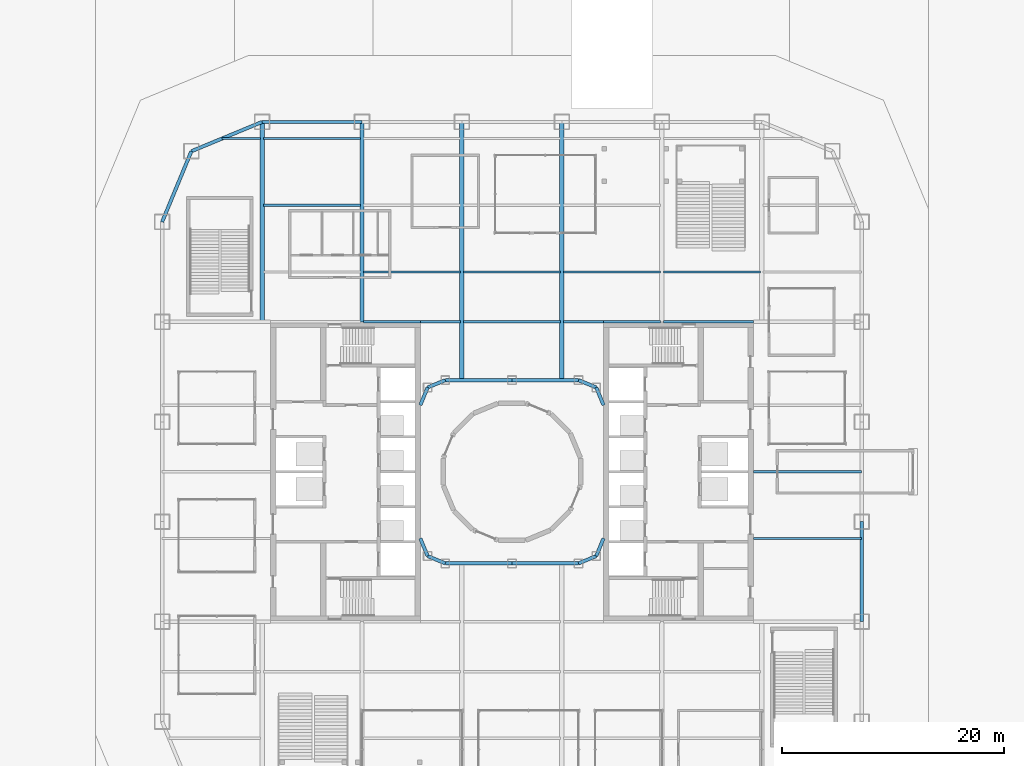
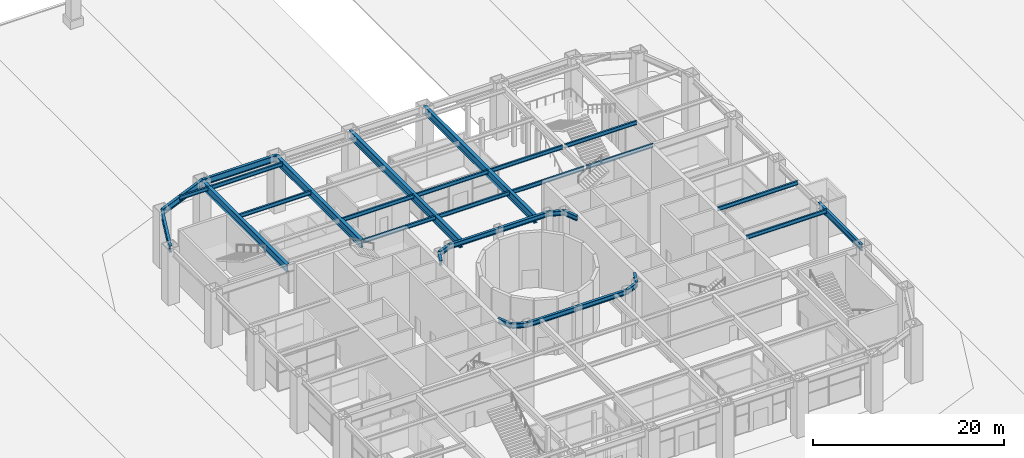
# One storey, part 7 of 20: 35 beams.
"""IFC4 building model written with IfcOpenShell, lengths in metres."""

import ifcopenshell
import ifcopenshell.guid

model = None  # the IFC model being written
_history = None  # IfcOwnerHistory: only IFC2X3 demands one
_inside = {}  # id of a spatial element -> (the spatial element, [elements in it])
_under = {}  # id of a project, library or spatial element -> (it, [spatial elements below it])
_declared = {}  # id of a project -> (the project, [libraries it declares])
_typed = {}  # id of a type object -> (the type object, [elements of that type])
_made_of = {}  # id of a material, layer set ... -> (it, [elements and type objects made of it])


def new_model(schema):
    """Start an empty IFC model of exactly this schema.

    Asked for "IFC4X3", IfcOpenShell would pick the latest addendum, in which some entities
    have other attributes; the version numbers below select the first issue.
    IFC2X3 requires an IfcOwnerHistory on every rooted entity: one is made here for all.
    """
    global model, _history
    if schema == "IFC4X3":
        model = ifcopenshell.file(schema_version=(4, 3, 0, 0))
    else:
        model = ifcopenshell.file(schema=schema)
    _inside.clear()
    _under.clear()
    _declared.clear()
    _typed.clear()
    _made_of.clear()
    _history = None
    if model.schema == "IFC2X3":
        org = make("IfcOrganization", Name="unknown")
        user = make(
            "IfcPersonAndOrganization",
            ThePerson=make("IfcPerson", FamilyName="unknown"),
            TheOrganization=org,
        )
        app = make(
            "IfcApplication",
            ApplicationDeveloper=org,
            Version="unknown",
            ApplicationFullName="unknown",
            ApplicationIdentifier="unknown",
        )
        _history = make(
            "IfcOwnerHistory",
            OwningUser=user,
            OwningApplication=app,
            ChangeAction="ADDED",
            CreationDate=0,
        )
    return model


def make(cls, **values):
    """One entity of the class cls with the attributes given. An attribute that is None is left unset."""
    return model.create_entity(
        cls, **{name: value for name, value in values.items() if value is not None}
    )


def rooted(cls, **values):
    """An entity with a GlobalId (a new one), such as an element, a storey or a relation."""
    return make(cls, GlobalId=ifcopenshell.guid.new(), OwnerHistory=_history, **values)


def si_unit(unit_type, name, prefix=None):
    """IfcSIUnit, for example si_unit("LENGTHUNIT", "METRE", prefix="MILLI")."""
    return make("IfcSIUnit", UnitType=unit_type, Prefix=prefix, Name=name)


def assignment(units):
    """IfcUnitAssignment: the units of a project."""
    return None if units is None else make("IfcUnitAssignment", Units=units)


def point(xyz):
    """IfcCartesianPoint."""
    return None if xyz is None else make("IfcCartesianPoint", Coordinates=xyz)


def direction(xyz):
    """IfcDirection."""
    return None if xyz is None else make("IfcDirection", DirectionRatios=xyz)


def frame(location, z_axis=None, x_axis=None):
    """IfcAxis2Placement3D, a coordinate frame: its origin and axes. An axis left out is left unset."""
    return make(
        "IfcAxis2Placement3D",
        Location=point(location),
        Axis=direction(z_axis),
        RefDirection=direction(x_axis),
    )


def frame_2d(location, x_axis=None):
    """IfcAxis2Placement2D, a coordinate frame in the plane: its origin and x axis."""
    return make(
        "IfcAxis2Placement2D", Location=point(location), RefDirection=direction(x_axis)
    )


def origin():
    """The frame at (0, 0, 0) with its axes left unset."""
    return frame((0.0, 0.0, 0.0))


def origin_2d():
    """The frame at (0, 0) in the plane with its x axis left unset."""
    return frame_2d((0.0, 0.0))


def place(relative_to, where):
    """IfcLocalPlacement: puts the frame where relative to a parent placement (None: the world)."""
    return make(
        "IfcLocalPlacement", PlacementRelTo=relative_to, RelativePlacement=where
    )


def context(
    kind, dimensions, precision=None, world=None, true_north=None, identifier=None
):
    """IfcGeometricRepresentationContext, for example the 3D "Model" context."""
    return make(
        "IfcGeometricRepresentationContext",
        ContextIdentifier=identifier,
        ContextType=kind,
        CoordinateSpaceDimension=dimensions,
        Precision=precision,
        WorldCoordinateSystem=world,
        TrueNorth=true_north,
    )


def subcontext(parent, identifier, kind, view, scale=None):
    """IfcGeometricRepresentationSubContext, for example "Body" below "Model"."""
    return make(
        "IfcGeometricRepresentationSubContext",
        ContextIdentifier=identifier,
        ContextType=kind,
        ParentContext=parent,
        TargetScale=scale,
        TargetView=view,
    )


def project(units=None, contexts=None):
    """IfcProject with its units and contexts."""
    return rooted(
        "IfcProject",
        Name="project",
        RepresentationContexts=contexts,
        UnitsInContext=assignment(units),
    )


def spatial(cls, under=None, at=None, **own):
    """A site, building, storey or space (cls), placed at a placement, below another one or the project."""
    s = rooted(cls, ObjectPlacement=at, **own)
    if under is not None:
        _under.setdefault(under.id(), (under, []))[1].append(s)
    return s


def profile(cls, at=None, kind="AREA", **sizes):
    """A parametric profile (cls). Its sizes go by their IFC names, for example OverallWidth=200.0."""
    return make(cls, ProfileType=kind, Position=at, **sizes)


def i_section(**sizes):
    """IfcIShapeProfileDef."""
    return profile("IfcIShapeProfileDef", **sizes)


def extrude(swept, where, along, depth):
    """IfcExtrudedAreaSolid: the profile swept, set in the frame where, extruded along a direction by depth."""
    return make(
        "IfcExtrudedAreaSolid",
        SweptArea=swept,
        Position=where,
        ExtrudedDirection=direction(along),
        Depth=depth,
    )


def shape(context_of_items, identifier, shape_type, items):
    """IfcShapeRepresentation: the items that make up one representation, for example the "Body"."""
    return make(
        "IfcShapeRepresentation",
        ContextOfItems=context_of_items,
        RepresentationIdentifier=identifier,
        RepresentationType=shape_type,
        Items=items,
    )


def material(Name=None, Category=None):
    """IfcMaterial."""
    return make("IfcMaterial", Name=Name, Category=Category)


def material_profile(
    of_material, cross_section, Name=None, Category=None, Priority=None
):
    """IfcMaterialProfile: a cross section and its material."""
    return make(
        "IfcMaterialProfile",
        Name=Name,
        Material=of_material,
        Profile=cross_section,
        Priority=Priority,
        Category=Category,
    )


def profile_set(profiles, Name=None, composite=None):
    """IfcMaterialProfileSet."""
    return make(
        "IfcMaterialProfileSet",
        Name=Name,
        MaterialProfiles=profiles,
        CompositeProfile=composite,
    )


def made_of(thing, what):
    """Note that an element or type object is made of a material, layer set ...; save() writes the relation."""
    if what is not None:
        _made_of.setdefault(what.id(), (what, []))[1].append(thing)
    return thing


def type_object(cls, material=None, **own):
    """A type object (cls), such as IfcWallType, which elements share."""
    return made_of(rooted(cls, **own), material)


def element(
    cls,
    number,
    at=None,
    inside=None,
    cuts=None,
    type_object=None,
    material=None,
    context=None,
    identifier="Body",
    shape_type=None,
    held_by="IfcProductDefinitionShape",
    body=None,
    shapes=None,
    **own,
):
    """One element of the class cls, such as IfcWall. Its Tag is "e" and its number.

    at: its placement. inside: the storey or other place that contains it. cuts: it is an
    opening in that element (IfcRelVoidsElement). A single representation is given by context,
    identifier, shape_type and body (its items); several are given by shapes. held_by: the class
    of the entity that holds the representations. save() writes the other relations.
    """
    e = rooted(cls, Tag="e%d" % number, ObjectPlacement=at, **own)
    if body is not None:
        shapes = [shape(context, identifier, shape_type, body)]
    if shapes is not None:
        e.Representation = make(held_by, Representations=shapes)
    if inside is not None:
        _inside.setdefault(inside.id(), (inside, []))[1].append(e)
    if cuts is not None:
        rooted(
            "IfcRelVoidsElement", RelatingBuildingElement=cuts, RelatedOpeningElement=e
        )
    if type_object is not None:
        _typed.setdefault(type_object.id(), (type_object, []))[1].append(e)
    return made_of(e, material)


def aggregate(whole, parts):
    """IfcRelAggregates: a whole, such as a stair, and the parts it consists of."""
    return rooted("IfcRelAggregates", RelatingObject=whole, RelatedObjects=parts)


def save(model, path):
    """Write the relations noted so far, then the file.

    IfcRelAggregates (storeys below a building ...), IfcRelContainedInSpatialStructure (elements
    in a storey), IfcRelDefinesByType, IfcRelAssociatesMaterial and IfcRelDeclares: one each for
    every whole, place, type object, material and project.
    """
    for whole, parts in _under.values():
        aggregate(whole, parts)
    for where, things in _inside.values():
        rooted(
            "IfcRelContainedInSpatialStructure",
            RelatedElements=things,
            RelatingStructure=where,
        )
    for kind, things in _typed.values():
        rooted("IfcRelDefinesByType", RelatedObjects=things, RelatingType=kind)
    for what, things in _made_of.values():
        rooted("IfcRelAssociatesMaterial", RelatedObjects=things, RelatingMaterial=what)
    for by, libraries in _declared.values():
        rooted("IfcRelDeclares", RelatingContext=by, RelatedDefinitions=libraries)
    model.write(path)


model = new_model("IFC4")

# Units and contexts
model_context = context("Model", 3, precision=1e-05, world=origin(), true_north=direction((0.0, 1.0)))
body_context = subcontext(model_context, "Body", "Model", "MODEL_VIEW")
ifc_project = project(units=[si_unit("LENGTHUNIT", "METRE"), si_unit("AREAUNIT", "SQUARE_METRE"), si_unit("VOLUMEUNIT", "CUBIC_METRE"), si_unit("PLANEANGLEUNIT", "RADIAN"), si_unit("MASSUNIT", "GRAM", prefix="KILO")], contexts=[model_context])

# Site, building, storey
site_placement = place(None, origin())
site = spatial("IfcSite", under=ifc_project, at=site_placement, CompositionType="ELEMENT")
building_placement = place(site_placement, origin())
building = spatial("IfcBuilding", under=site, at=building_placement, Name="Siwar Civic Tower", CompositionType="ELEMENT")
storey_placement = place(building_placement, origin())
storey = spatial("IfcBuildingStorey", under=building, at=storey_placement, Name="L00", CompositionType="ELEMENT", Elevation=0.0)

# Beams
ifc_material_1 = material(Name="Steel S355", Category="steel")
ifc_material_profile_1 = material_profile(ifc_material_1, i_section(OverallWidth=0.199951171875, OverallDepth=0.5, WebThickness=0.01025390625, FlangeThickness=0.01611328125, FilletRadius=0.02099609375, at=origin_2d()), Name="IPE500")
ifc_profile_set_1 = profile_set([ifc_material_profile_1], Name="Steel S355")
beam_type_1 = type_object("IfcBeamType", Name="STR-FB-IPE500", PredefinedType="JOIST", material=ifc_profile_set_1)
for number, where, z_axis, x_axis, name in (
    (1, (21.75, -6.0, 6.75), (1.0, 0.0, 0.0), (0.0, 1.0, 0.0), "L00/bm/F029"),
    (2, (21.75, 0.0, 6.75), (1.0, 0.0, 0.0), (0.0, 1.0, 0.0), "L00/bm/F031"),
):
    element("IfcBeam", number, at=place(storey_placement, frame(where, z_axis=z_axis, x_axis=x_axis)), inside=storey, type_object=beam_type_1, Name=name, PredefinedType="JOIST", context=body_context, shape_type="SweptSolid", body=[
        extrude(i_section(OverallWidth=0.199951171875, OverallDepth=0.5, WebThickness=0.01025390625, FlangeThickness=0.01611328125, FilletRadius=0.02099609375, at=origin_2d()), origin(), (0.0, 0.0, 1.0), 9.75),
    ])
beam_1_placement = place(storey_placement, frame((-13.3701171875, 13.5, 6.75), z_axis=(1.0, 0.0, 0.0), x_axis=(0.0, 1.0, 0.0)))
element("IfcBeam", 3, at=beam_1_placement, inside=storey, type_object=beam_type_1, Name="L00/bm/F036", PredefinedType="JOIST", context=body_context, shape_type="SweptSolid", body=[
    extrude(i_section(OverallWidth=0.199951171875, OverallDepth=0.5, WebThickness=0.01025390625, FlangeThickness=0.01611328125, FilletRadius=0.02099609375, at=origin_2d()), origin(), (0.0, 0.0, 1.0), 5.1201171875),
])
beam_2_placement = place(storey_placement, frame((-8.25, 13.5, 6.75), z_axis=(1.0, 0.0, 0.0), x_axis=(0.0, 1.0, 0.0)))
element("IfcBeam", 4, at=beam_2_placement, inside=storey, type_object=beam_type_1, Name="L00/bm/F037", PredefinedType="JOIST", context=body_context, shape_type="SweptSolid", body=[
    extrude(i_section(OverallWidth=0.199951171875, OverallDepth=0.5, WebThickness=0.01025390625, FlangeThickness=0.01611328125, FilletRadius=0.02099609375, at=origin_2d()), origin(), (0.0, 0.0, 1.0), 3.6201171875),
])
beam_3_placement = place(storey_placement, frame((-4.3701171875, 13.5, 6.75), z_axis=(1.0, 0.0, 0.0), x_axis=(0.0, 1.0, 0.0)))
element("IfcBeam", 5, at=beam_3_placement, inside=storey, type_object=beam_type_1, Name="L00/bm/F038", PredefinedType="JOIST", context=body_context, shape_type="SweptSolid", body=[
    extrude(i_section(OverallWidth=0.199951171875, OverallDepth=0.5, WebThickness=0.01025390625, FlangeThickness=0.01611328125, FilletRadius=0.02099609375, at=origin_2d()), origin(), (0.0, 0.0, 1.0), 8.740234375),
])
beam_4_placement = place(storey_placement, frame((4.6298828125, 13.5, 6.75), z_axis=(1.0, 0.0, 0.0), x_axis=(0.0, 1.0, 0.0)))
element("IfcBeam", 6, at=beam_4_placement, inside=storey, type_object=beam_type_1, Name="L00/bm/F039", PredefinedType="JOIST", context=body_context, shape_type="SweptSolid", body=[
    extrude(i_section(OverallWidth=0.199951171875, OverallDepth=0.5, WebThickness=0.01025390625, FlangeThickness=0.01611328125, FilletRadius=0.02099609375, at=origin_2d()), origin(), (0.0, 0.0, 1.0), 3.6201171875),
])
beam_5_placement = place(storey_placement, frame((8.25, 13.5, 6.75), z_axis=(1.0, 0.0, 0.0), x_axis=(0.0, 1.0, 0.0)))
element("IfcBeam", 7, at=beam_5_placement, inside=storey, type_object=beam_type_1, Name="L00/bm/F040", PredefinedType="JOIST", context=body_context, shape_type="SweptSolid", body=[
    extrude(i_section(OverallWidth=0.199951171875, OverallDepth=0.5, WebThickness=0.01025390625, FlangeThickness=0.01611328125, FilletRadius=0.02099609375, at=origin_2d()), origin(), (0.0, 0.0, 1.0), 5.1201171875),
])
beam_6_placement = place(storey_placement, frame((13.6298828125, 13.5, 6.75), z_axis=(1.0, 0.0, 0.0), x_axis=(0.0, 1.0, 0.0)))
element("IfcBeam", 8, at=beam_6_placement, inside=storey, type_object=beam_type_1, Name="L00/bm/F041", PredefinedType="JOIST", context=body_context, shape_type="SweptSolid", body=[
    extrude(i_section(OverallWidth=0.199951171875, OverallDepth=0.5, WebThickness=0.01025390625, FlangeThickness=0.01611328125, FilletRadius=0.02099609375, at=origin_2d()), origin(), (0.0, 0.0, 1.0), 8.1201171875),
])
for number, where, z_axis, x_axis, name in (
    (9, (-13.3701171875, 18.0, 6.75), (1.0, 0.0, 0.0), (0.0, 1.0, 0.0), "L00/bm/F044"),
    (10, (-4.3701171875, 18.0, 6.75), (1.0, 0.0, 0.0), (0.0, 1.0, 0.0), "L00/bm/F045"),
    (11, (4.6298828125, 18.0, 6.75), (1.0, 0.0, 0.0), (0.0, 1.0, 0.0), "L00/bm/F046"),
    (12, (13.6298828125, 18.0, 6.75), (1.0, 0.0, 0.0), (0.0, 1.0, 0.0), "L00/bm/F047"),
    (13, (-22.3701171875, 24.0, 6.75), (1.0, 0.0, 0.0), (0.0, 1.0, 0.0), "L00/bm/F049"),
):
    element("IfcBeam", number, at=place(storey_placement, frame(where, z_axis=z_axis, x_axis=x_axis)), inside=storey, type_object=beam_type_1, Name=name, PredefinedType="JOIST", context=body_context, shape_type="SweptSolid", body=[
        extrude(i_section(OverallWidth=0.199951171875, OverallDepth=0.5, WebThickness=0.01025390625, FlangeThickness=0.01611328125, FilletRadius=0.02099609375, at=origin_2d()), origin(), (0.0, 0.0, 1.0), 8.740234375),
    ])
beam_7_placement = place(storey_placement, frame((-26.121337890625, 30.0, 6.75), z_axis=(1.0, 0.0, 0.0), x_axis=(0.0, 1.0, 0.0)))
element("IfcBeam", 14, at=beam_7_placement, inside=storey, type_object=beam_type_1, Name="L00/bm/F054", PredefinedType="JOIST", context=body_context, shape_type="SweptSolid", body=[
    extrude(i_section(OverallWidth=0.199951171875, OverallDepth=0.5, WebThickness=0.01025390625, FlangeThickness=0.01611328125, FilletRadius=0.02099609375, at=origin_2d()), origin(), (0.0, 0.0, 1.0), 3.491455078125),
])
beam_8_placement = place(storey_placement, frame((-22.3701171875, 30.0, 6.75), z_axis=(1.0, 0.0, 0.0), x_axis=(0.0, 1.0, 0.0)))
element("IfcBeam", 15, at=beam_8_placement, inside=storey, type_object=beam_type_1, Name="L00/bm/F055", PredefinedType="JOIST", context=body_context, shape_type="SweptSolid", body=[
    extrude(i_section(OverallWidth=0.199951171875, OverallDepth=0.5, WebThickness=0.01025390625, FlangeThickness=0.01611328125, FilletRadius=0.02099609375, at=origin_2d()), origin(), (0.0, 0.0, 1.0), 8.740234375),
])
ifc_material_2 = material(Name="Steel S355", Category="steel")
ifc_material_profile_2 = material_profile(ifc_material_2, i_section(OverallWidth=0.39990234375, OverallDepth=1.0, WebThickness=0.01611328125, FlangeThickness=0.0400390625, at=origin_2d()), Name="PG1000x400x16x40")
ifc_profile_set_2 = profile_set([ifc_material_profile_2], Name="Steel S355")
beam_type_2 = type_object("IfcBeamType", Name="STR-PG-PG1000x400x16x40", PredefinedType="BEAM", material=ifc_profile_set_2)
for number, where, z_axis, x_axis, name in (
    (16, (-22.5, 13.5, 6.5), (0.0, 1.0, 0.0), (-1.0, 0.0, 0.0), "L00/bm/G02"),
    (17, (-13.5, 13.5, 6.5), (0.0, 1.0, 0.0), (-1.0, 0.0, 0.0), "L00/bm/G04"),
):
    element("IfcBeam", number, at=place(storey_placement, frame(where, z_axis=z_axis, x_axis=x_axis)), inside=storey, type_object=beam_type_2, Name=name, PredefinedType="BEAM", context=body_context, shape_type="SweptSolid", body=[
        extrude(i_section(OverallWidth=0.39990234375, OverallDepth=1.0, WebThickness=0.01611328125, FlangeThickness=0.0400390625, at=origin_2d()), origin(), (0.0, 0.0, 1.0), 18.0),
    ])
for number, where, z_axis, x_axis, name in (
    (18, (-4.5, 8.25, 6.5), (0.0, 1.0, 0.0), (-1.0, 0.0, 0.0), "L00/bm/G06"),
    (19, (4.5, 8.25, 6.5), (0.0, 1.0, 0.0), (-1.0, 0.0, 0.0), "L00/bm/G08"),
):
    element("IfcBeam", number, at=place(storey_placement, frame(where, z_axis=z_axis, x_axis=x_axis)), inside=storey, type_object=beam_type_2, Name=name, PredefinedType="BEAM", context=body_context, shape_type="SweptSolid", body=[
        extrude(i_section(OverallWidth=0.39990234375, OverallDepth=1.0, WebThickness=0.01611328125, FlangeThickness=0.0400390625, at=origin_2d()), origin(), (0.0, 0.0, 1.0), 23.25),
    ])
ifc_material_3 = material(Name="Steel S355", Category="steel")
ifc_material_profile_3 = material_profile(ifc_material_3, i_section(OverallWidth=0.304931640625, OverallDepth=0.6201171875, WebThickness=0.02099609375, FlangeThickness=0.0400390625, FilletRadius=0.027099609375, at=origin_2d()), Name="HEM600")
ifc_profile_set_3 = profile_set([ifc_material_profile_3], Name="Steel S355")
beam_type_3 = type_object("IfcBeamType", Name="STR-RB-HEM600", PredefinedType="BEAM", material=ifc_profile_set_3)
beam_9_placement = place(storey_placement, frame((-7.591064453125, 7.591064453125, 6.68994140625), z_axis=(0.923901072997, 0.382631424892, 0.0), x_axis=(-0.382631424892, 0.923901072997, 0.0)))
element("IfcBeam", 20, at=beam_9_placement, inside=storey, type_object=beam_type_3, Name="L00/bm/RN0", PredefinedType="BEAM", context=body_context, shape_type="SweptSolid", body=[
    extrude(i_section(OverallWidth=0.304931640625, OverallDepth=0.6201171875, WebThickness=0.02099609375, FlangeThickness=0.0400390625, FilletRadius=0.027099609375, at=origin_2d()), origin(), (0.0, 0.0, 1.0), 1.72216796875),
])
for number, where, z_axis, x_axis, name in (
    (21, (-6.0, 8.25, 6.68994140625), (1.0, 0.0, 0.0), (0.0, 1.0, 0.0), "L00/bm/RN1"),
    (22, (0.0, 8.25, 6.68994140625), (1.0, 0.0, 0.0), (0.0, 1.0, 0.0), "L00/bm/RN2"),
):
    element("IfcBeam", number, at=place(storey_placement, frame(where, z_axis=z_axis, x_axis=x_axis)), inside=storey, type_object=beam_type_3, Name=name, PredefinedType="BEAM", context=body_context, shape_type="SweptSolid", body=[
        extrude(i_section(OverallWidth=0.304931640625, OverallDepth=0.6201171875, WebThickness=0.02099609375, FlangeThickness=0.0400390625, FilletRadius=0.027099609375, at=origin_2d()), origin(), (0.0, 0.0, 1.0), 6.0),
    ])
for number, where, z_axis, x_axis, name in (
    (23, (6.0, 8.25, 6.68994140625), (0.923901072997, -0.382631424892, 0.0), (0.382631424892, 0.923901072997, 0.0), "L00/bm/RN3"),
    (24, (-7.591064453125, 7.591064453125, 6.68994140625), (-0.382631424892, -0.923901072997, 0.0), (0.923901072997, -0.382631424892, 0.0), "L00/bm/RNEW"),
    (25, (7.591064453125, 7.591064453125, 6.68994140625), (0.382631424892, -0.923901072997, 0.0), (0.923901072997, 0.382631424892, 0.0), "L00/bm/RNEE"),
    (26, (-7.591064453125, -7.591064453125, 6.68994140625), (0.923901072997, -0.382631424892, 0.0), (0.382631424892, 0.923901072997, 0.0), "L00/bm/RS0"),
):
    element("IfcBeam", number, at=place(storey_placement, frame(where, z_axis=z_axis, x_axis=x_axis)), inside=storey, type_object=beam_type_3, Name=name, PredefinedType="BEAM", context=body_context, shape_type="SweptSolid", body=[
        extrude(i_section(OverallWidth=0.304931640625, OverallDepth=0.6201171875, WebThickness=0.02099609375, FlangeThickness=0.0400390625, FilletRadius=0.027099609375, at=origin_2d()), origin(), (0.0, 0.0, 1.0), 1.72216796875),
    ])
for number, where, z_axis, x_axis, name in (
    (27, (-6.0, -8.25, 6.68994140625), (1.0, 0.0, 0.0), (0.0, 1.0, 0.0), "L00/bm/RS1"),
    (28, (0.0, -8.25, 6.68994140625), (1.0, 0.0, 0.0), (0.0, 1.0, 0.0), "L00/bm/RS2"),
):
    element("IfcBeam", number, at=place(storey_placement, frame(where, z_axis=z_axis, x_axis=x_axis)), inside=storey, type_object=beam_type_3, Name=name, PredefinedType="BEAM", context=body_context, shape_type="SweptSolid", body=[
        extrude(i_section(OverallWidth=0.304931640625, OverallDepth=0.6201171875, WebThickness=0.02099609375, FlangeThickness=0.0400390625, FilletRadius=0.027099609375, at=origin_2d()), origin(), (0.0, 0.0, 1.0), 6.0),
    ])
for number, where, z_axis, x_axis, name in (
    (29, (6.0, -8.25, 6.68994140625), (0.923901072997, 0.382631424892, 0.0), (-0.382631424892, 0.923901072997, 0.0), "L00/bm/RS3"),
    (30, (-7.591064453125, -7.591064453125, 6.68994140625), (-0.382631424892, 0.923901072997, 0.0), (-0.923901072997, -0.382631424892, 0.0), "L00/bm/RSEW"),
    (31, (7.591064453125, -7.591064453125, 6.68994140625), (0.382631424892, 0.923901072997, 0.0), (-0.923901072997, 0.382631424892, 0.0), "L00/bm/RSEE"),
):
    element("IfcBeam", number, at=place(storey_placement, frame(where, z_axis=z_axis, x_axis=x_axis)), inside=storey, type_object=beam_type_3, Name=name, PredefinedType="BEAM", context=body_context, shape_type="SweptSolid", body=[
        extrude(i_section(OverallWidth=0.304931640625, OverallDepth=0.6201171875, WebThickness=0.02099609375, FlangeThickness=0.0400390625, FilletRadius=0.027099609375, at=origin_2d()), origin(), (0.0, 0.0, 1.0), 1.72216796875),
    ])
ifc_material_4 = material(Name="Steel S355", Category="steel")
ifc_material_profile_4 = material_profile(ifc_material_4, i_section(OverallWidth=0.302978515625, OverallDepth=0.81396484375, WebThickness=0.02099609375, FlangeThickness=0.0400390625, FilletRadius=0.030029296875, at=origin_2d()), Name="HEM800")
ifc_profile_set_4 = profile_set([ifc_material_profile_4], Name="Steel S355")
beam_type_4 = type_object("IfcBeamType", Name="STR-SB-HEM800", PredefinedType="BEAM", material=ifc_profile_set_4)
for number, where, z_axis, x_axis, name in (
    (32, (31.5, -13.5, 6.593017578125), (0.0, 1.0, 0.0), (-1.0, 0.0, 0.0), "L00/bm/SE-1"),
    (33, (-13.5, 31.5, 6.593017578125), (-1.0, 0.0, 0.0), (0.0, -1.0, 0.0), "L00/bm/SN-4"),
):
    element("IfcBeam", number, at=place(storey_placement, frame(where, z_axis=z_axis, x_axis=x_axis)), inside=storey, type_object=beam_type_4, Name=name, PredefinedType="BEAM", context=body_context, shape_type="SweptSolid", body=[
        extrude(i_section(OverallWidth=0.302978515625, OverallDepth=0.81396484375, WebThickness=0.02099609375, FlangeThickness=0.0400390625, FilletRadius=0.030029296875, at=origin_2d()), origin(), (0.0, 0.0, 1.0), 9.0),
    ])
for number, where, z_axis, x_axis, name in (
    (34, (-22.5, 31.5, 6.593017578125), (-0.923883353507, -0.382674207535, 0.0), (0.382674207535, -0.923883353507, 0.0), "L00/bm/SNW1-0"),
    (35, (-28.864013671875, 28.864013671875, 6.593017578125), (-0.382674207535, -0.923883353507, 0.0), (0.923883353507, -0.382674207535, 0.0), "L00/bm/SNW2-0"),
):
    element("IfcBeam", number, at=place(storey_placement, frame(where, z_axis=z_axis, x_axis=x_axis)), inside=storey, type_object=beam_type_4, Name=name, PredefinedType="BEAM", context=body_context, shape_type="SweptSolid", body=[
        extrude(i_section(OverallWidth=0.302978515625, OverallDepth=0.81396484375, WebThickness=0.02099609375, FlangeThickness=0.0400390625, FilletRadius=0.030029296875, at=origin_2d()), origin(), (0.0, 0.0, 1.0), 6.888427734375),
    ])

save(model, "model.ifc")
